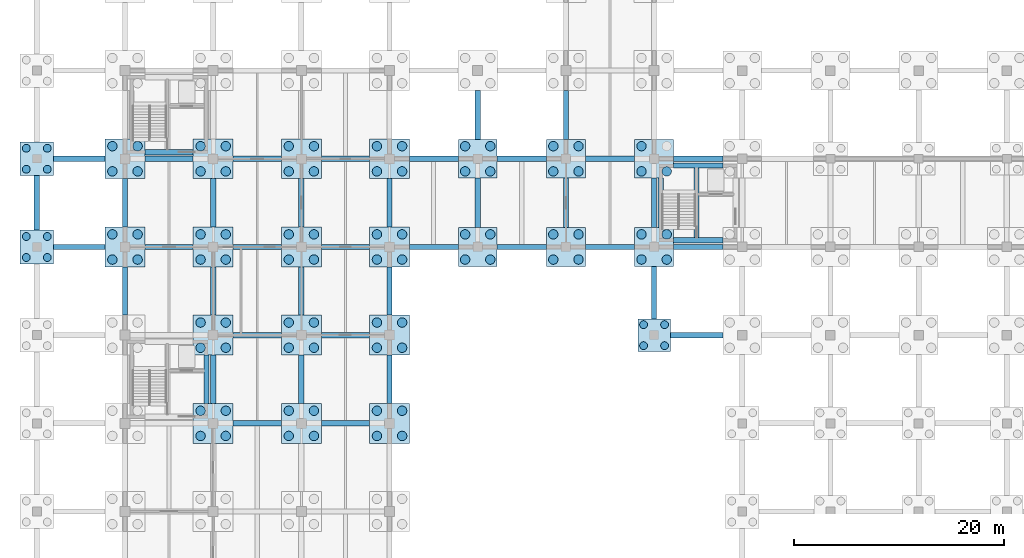
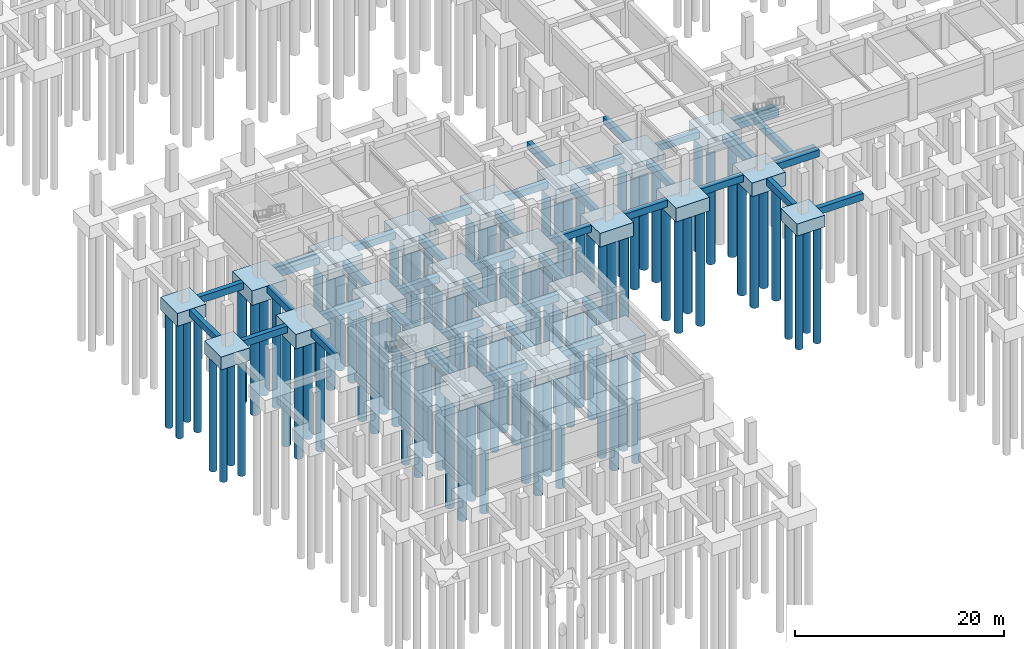
# One storey, part 2 of 29: 91 piles, 68 footings.
"""IFC4 building model written with IfcOpenShell, lengths in metres."""

from ifc_helpers import new_model, si_unit, direction, frame, origin, origin_2d, place, context, subcontext, project, spatial, rectangle, circle, extrude, material, material_profile, profile_set, type_object, element, save


model = new_model("IFC4")

# Units and contexts
model_context = context("Model", 3, precision=1e-05, world=origin(), true_north=direction((0.0, 1.0)))
body_context = subcontext(model_context, "Body", "Model", "MODEL_VIEW")
ifc_project = project(units=[si_unit("LENGTHUNIT", "METRE"), si_unit("AREAUNIT", "SQUARE_METRE"), si_unit("VOLUMEUNIT", "CUBIC_METRE"), si_unit("PLANEANGLEUNIT", "RADIAN"), si_unit("MASSUNIT", "GRAM", prefix="KILO")], contexts=[model_context])

# Site, building, storey
site_placement = place(None, origin())
site = spatial("IfcSite", under=ifc_project, at=site_placement, CompositionType="ELEMENT")
building_placement = place(site_placement, origin())
building = spatial("IfcBuilding", under=site, at=building_placement, Name="Porcellanite Civic Hall", CompositionType="ELEMENT")
storey_placement = place(building_placement, frame((0.0, 0.0, -4.5)))
storey = spatial("IfcBuildingStorey", under=building, at=storey_placement, Name="B1", CompositionType="ELEMENT", Elevation=-4.5)

# Footings
ifc_material_1 = material(Name="Concrete N40 (40 MPa)", Category="concrete")
ifc_material_profile_1 = material_profile(ifc_material_1, rectangle(XDim=0.5, YDim=0.800048828125, at=origin_2d()), Name="RC-500x800")
ifc_profile_set_1 = profile_set([ifc_material_profile_1], Name="Concrete N40 (40 MPa)")
footing_type_1 = type_object("IfcFootingType", Name="GB-01", PredefinedType="FOOTING_BEAM", material=ifc_profile_set_1)
footing_1_placement = place(storey_placement, frame((1.60009765625, 50.39990234375, -0.75), z_axis=(1.0, 0.0, 0.0), x_axis=(0.0, 1.0, 0.0)))
element("IfcFooting", 1, at=footing_1_placement, inside=storey, type_object=footing_type_1, Name="Ground tie beam B1 0-6 X", PredefinedType="FOOTING_BEAM", context=body_context, shape_type="SweptSolid", body=[
    extrude(rectangle(XDim=0.5, YDim=0.800048828125, at=origin_2d()), origin(), (0.0, 0.0, 1.0), 4.89990234375),
])
footing_2_placement = place(storey_placement, frame((0.0, 52.0, -0.75), z_axis=(0.0, 1.0, 0.0), x_axis=(-1.0, 0.0, 0.0)))
element("IfcFooting", 2, at=footing_2_placement, inside=storey, type_object=footing_type_1, Name="Ground tie beam B1 0-6 Y", PredefinedType="FOOTING_BEAM", context=body_context, shape_type="SweptSolid", body=[
    extrude(rectangle(XDim=0.5, YDim=0.800048828125, at=origin_2d()), origin(), (0.0, 0.0, 1.0), 5.199951171875),
])
footing_3_placement = place(storey_placement, frame((1.60009765625, 58.800048828125, -0.75), z_axis=(1.0, 0.0, 0.0), x_axis=(0.0, 1.0, 0.0)))
element("IfcFooting", 3, at=footing_3_placement, inside=storey, type_object=footing_type_1, Name="Ground tie beam B1 0-7 X", PredefinedType="FOOTING_BEAM", context=body_context, shape_type="SweptSolid", body=[
    extrude(rectangle(XDim=0.5, YDim=0.800048828125, at=origin_2d()), origin(), (0.0, 0.0, 1.0), 4.89990234375),
])
footing_4_placement = place(storey_placement, frame((8.39990234375, 43.89990234375, -0.75), z_axis=(0.0, 1.0, 0.0), x_axis=(-1.0, 0.0, 0.0)))
element("IfcFooting", 4, at=footing_4_placement, inside=storey, type_object=footing_type_1, Name="Ground tie beam B1 1-5 Y", PredefinedType="FOOTING_BEAM", context=body_context, shape_type="SweptSolid", body=[
    extrude(rectangle(XDim=0.5, YDim=0.800048828125, at=origin_2d()), origin(), (0.0, 0.0, 1.0), 4.60009765625),
])
for number, where, z_axis, x_axis, name in (
    (5, (10.300048828125, 50.39990234375, -0.75), (1.0, 0.0, 0.0), (0.0, 1.0, 0.0), "Ground tie beam B1 1-6 X"),
    (6, (8.39990234375, 52.300048828125, -0.75), (0.0, 1.0, 0.0), (-1.0, 0.0, 0.0), "Ground tie beam B1 1-6 Y"),
    (7, (10.300048828125, 58.800048828125, -0.75), (1.0, 0.0, 0.0), (0.0, 1.0, 0.0), "Ground tie beam B1 1-7 X"),
):
    element("IfcFooting", number, at=place(storey_placement, frame(where, z_axis=z_axis, x_axis=x_axis)), inside=storey, type_object=footing_type_1, Name=name, PredefinedType="FOOTING_BEAM", context=body_context, shape_type="SweptSolid", body=[
        extrude(rectangle(XDim=0.5, YDim=0.800048828125, at=origin_2d()), origin(), (0.0, 0.0, 1.0), 4.599853515625),
    ])
for number, where, z_axis, x_axis, name in (
    (8, (18.699951171875, 33.60009765625, -0.75), (1.0, 0.0, 0.0), (0.0, 1.0, 0.0), "Ground tie beam B1 2-4 X"),
    (9, (16.800048828125, 35.5, -0.75), (0.0, 1.0, 0.0), (-1.0, 0.0, 0.0), "Ground tie beam B1 2-4 Y"),
    (10, (18.699951171875, 42.0, -0.75), (1.0, 0.0, 0.0), (0.0, 1.0, 0.0), "Ground tie beam B1 2-5 X"),
    (11, (16.800048828125, 43.89990234375, -0.75), (0.0, 1.0, 0.0), (-1.0, 0.0, 0.0), "Ground tie beam B1 2-5 Y"),
    (12, (18.699951171875, 50.39990234375, -0.75), (1.0, 0.0, 0.0), (0.0, 1.0, 0.0), "Ground tie beam B1 2-6 X"),
):
    element("IfcFooting", number, at=place(storey_placement, frame(where, z_axis=z_axis, x_axis=x_axis)), inside=storey, type_object=footing_type_1, Name=name, PredefinedType="FOOTING_BEAM", context=body_context, shape_type="SweptSolid", body=[
        extrude(rectangle(XDim=0.5, YDim=0.800048828125, at=origin_2d()), origin(), (0.0, 0.0, 1.0), 4.60009765625),
    ])
footing_5_placement = place(storey_placement, frame((16.800048828125, 52.300048828125, -0.75), z_axis=(0.0, 1.0, 0.0), x_axis=(-1.0, 0.0, 0.0)))
element("IfcFooting", 13, at=footing_5_placement, inside=storey, type_object=footing_type_1, Name="Ground tie beam B1 2-6 Y", PredefinedType="FOOTING_BEAM", context=body_context, shape_type="SweptSolid", body=[
    extrude(rectangle(XDim=0.5, YDim=0.800048828125, at=origin_2d()), origin(), (0.0, 0.0, 1.0), 4.599853515625),
])
footing_6_placement = place(storey_placement, frame((18.699951171875, 58.800048828125, -0.75), z_axis=(1.0, 0.0, 0.0), x_axis=(0.0, 1.0, 0.0)))
element("IfcFooting", 14, at=footing_6_placement, inside=storey, type_object=footing_type_1, Name="Ground tie beam B1 2-7 X", PredefinedType="FOOTING_BEAM", context=body_context, shape_type="SweptSolid", body=[
    extrude(rectangle(XDim=0.5, YDim=0.800048828125, at=origin_2d()), origin(), (0.0, 0.0, 1.0), 4.60009765625),
])
footing_7_placement = place(storey_placement, frame((27.10009765625, 33.60009765625, -0.75), z_axis=(1.0, 0.0, 0.0), x_axis=(0.0, 1.0, 0.0)))
element("IfcFooting", 15, at=footing_7_placement, inside=storey, type_object=footing_type_1, Name="Ground tie beam B1 3-4 X", PredefinedType="FOOTING_BEAM", context=body_context, shape_type="SweptSolid", body=[
    extrude(rectangle(XDim=0.5, YDim=0.800048828125, at=origin_2d()), origin(), (0.0, 0.0, 1.0), 4.599853515625),
])
footing_8_placement = place(storey_placement, frame((25.199951171875, 35.5, -0.75), z_axis=(0.0, 1.0, 0.0), x_axis=(-1.0, 0.0, 0.0)))
element("IfcFooting", 16, at=footing_8_placement, inside=storey, type_object=footing_type_1, Name="Ground tie beam B1 3-4 Y", PredefinedType="FOOTING_BEAM", context=body_context, shape_type="SweptSolid", body=[
    extrude(rectangle(XDim=0.5, YDim=0.800048828125, at=origin_2d()), origin(), (0.0, 0.0, 1.0), 4.60009765625),
])
footing_9_placement = place(storey_placement, frame((27.10009765625, 42.0, -0.75), z_axis=(1.0, 0.0, 0.0), x_axis=(0.0, 1.0, 0.0)))
element("IfcFooting", 17, at=footing_9_placement, inside=storey, type_object=footing_type_1, Name="Ground tie beam B1 3-5 X", PredefinedType="FOOTING_BEAM", context=body_context, shape_type="SweptSolid", body=[
    extrude(rectangle(XDim=0.5, YDim=0.800048828125, at=origin_2d()), origin(), (0.0, 0.0, 1.0), 4.599853515625),
])
footing_10_placement = place(storey_placement, frame((25.199951171875, 43.89990234375, -0.75), z_axis=(0.0, 1.0, 0.0), x_axis=(-1.0, 0.0, 0.0)))
element("IfcFooting", 18, at=footing_10_placement, inside=storey, type_object=footing_type_1, Name="Ground tie beam B1 3-5 Y", PredefinedType="FOOTING_BEAM", context=body_context, shape_type="SweptSolid", body=[
    extrude(rectangle(XDim=0.5, YDim=0.800048828125, at=origin_2d()), origin(), (0.0, 0.0, 1.0), 4.60009765625),
])
for number, where, z_axis, x_axis, name in (
    (19, (27.10009765625, 50.39990234375, -0.75), (1.0, 0.0, 0.0), (0.0, 1.0, 0.0), "Ground tie beam B1 3-6 X"),
    (20, (25.199951171875, 52.300048828125, -0.75), (0.0, 1.0, 0.0), (-1.0, 0.0, 0.0), "Ground tie beam B1 3-6 Y"),
    (21, (27.10009765625, 58.800048828125, -0.75), (1.0, 0.0, 0.0), (0.0, 1.0, 0.0), "Ground tie beam B1 3-7 X"),
):
    element("IfcFooting", number, at=place(storey_placement, frame(where, z_axis=z_axis, x_axis=x_axis)), inside=storey, type_object=footing_type_1, Name=name, PredefinedType="FOOTING_BEAM", context=body_context, shape_type="SweptSolid", body=[
        extrude(rectangle(XDim=0.5, YDim=0.800048828125, at=origin_2d()), origin(), (0.0, 0.0, 1.0), 4.599853515625),
    ])
for number, where, z_axis, x_axis, name in (
    (22, (33.60009765625, 35.5, -0.75), (0.0, 1.0, 0.0), (-1.0, 0.0, 0.0), "Ground tie beam B1 4-4 Y"),
    (23, (33.60009765625, 43.89990234375, -0.75), (0.0, 1.0, 0.0), (-1.0, 0.0, 0.0), "Ground tie beam B1 4-5 Y"),
):
    element("IfcFooting", number, at=place(storey_placement, frame(where, z_axis=z_axis, x_axis=x_axis)), inside=storey, type_object=footing_type_1, Name=name, PredefinedType="FOOTING_BEAM", context=body_context, shape_type="SweptSolid", body=[
        extrude(rectangle(XDim=0.5, YDim=0.800048828125, at=origin_2d()), origin(), (0.0, 0.0, 1.0), 4.60009765625),
    ])
footing_11_placement = place(storey_placement, frame((35.5, 50.39990234375, -0.75), z_axis=(1.0, 0.0, 0.0), x_axis=(0.0, 1.0, 0.0)))
element("IfcFooting", 24, at=footing_11_placement, inside=storey, type_object=footing_type_1, Name="Ground tie beam B1 4-6 X", PredefinedType="FOOTING_BEAM", context=body_context, shape_type="SweptSolid", body=[
    extrude(rectangle(XDim=0.5, YDim=0.800048828125, at=origin_2d()), origin(), (0.0, 0.0, 1.0), 4.64990234375),
])
footing_12_placement = place(storey_placement, frame((33.60009765625, 52.300048828125, -0.75), z_axis=(0.0, 1.0, 0.0), x_axis=(-1.0, 0.0, 0.0)))
element("IfcFooting", 25, at=footing_12_placement, inside=storey, type_object=footing_type_1, Name="Ground tie beam B1 4-6 Y", PredefinedType="FOOTING_BEAM", context=body_context, shape_type="SweptSolid", body=[
    extrude(rectangle(XDim=0.5, YDim=0.800048828125, at=origin_2d()), origin(), (0.0, 0.0, 1.0), 4.599853515625),
])
footing_13_placement = place(storey_placement, frame((35.5, 58.800048828125, -0.75), z_axis=(1.0, 0.0, 0.0), x_axis=(0.0, 1.0, 0.0)))
element("IfcFooting", 26, at=footing_13_placement, inside=storey, type_object=footing_type_1, Name="Ground tie beam B1 4-7 X", PredefinedType="FOOTING_BEAM", context=body_context, shape_type="SweptSolid", body=[
    extrude(rectangle(XDim=0.5, YDim=0.800048828125, at=origin_2d()), origin(), (0.0, 0.0, 1.0), 4.64990234375),
])
for number, where, z_axis, x_axis, name in (
    (27, (43.85009765625, 50.39990234375, -0.75), (1.0, 0.0, 0.0), (0.0, 1.0, 0.0), "Ground tie beam B1 5-6 X"),
    (28, (42.0, 52.25, -0.75), (0.0, 1.0, 0.0), (-1.0, 0.0, 0.0), "Ground tie beam B1 5-6 Y"),
    (29, (43.85009765625, 58.800048828125, -0.75), (1.0, 0.0, 0.0), (0.0, 1.0, 0.0), "Ground tie beam B1 5-7 X"),
):
    element("IfcFooting", number, at=place(storey_placement, frame(where, z_axis=z_axis, x_axis=x_axis)), inside=storey, type_object=footing_type_1, Name=name, PredefinedType="FOOTING_BEAM", context=body_context, shape_type="SweptSolid", body=[
        extrude(rectangle(XDim=0.5, YDim=0.800048828125, at=origin_2d()), origin(), (0.0, 0.0, 1.0), 4.699951171875),
    ])
footing_14_placement = place(storey_placement, frame((42.0, 60.64990234375, -0.75), z_axis=(0.0, 1.0, 0.0), x_axis=(-1.0, 0.0, 0.0)))
element("IfcFooting", 30, at=footing_14_placement, inside=storey, type_object=footing_type_1, Name="Ground tie beam B1 5-7 Y", PredefinedType="FOOTING_BEAM", context=body_context, shape_type="SweptSolid", body=[
    extrude(rectangle(XDim=0.5, YDim=0.800048828125, at=origin_2d()), origin(), (0.0, 0.0, 1.0), 4.650146484375),
])
for number, where, z_axis, x_axis, name in (
    (31, (52.25, 50.39990234375, -0.75), (1.0, 0.0, 0.0), (0.0, 1.0, 0.0), "Ground tie beam B1 6-6 X"),
    (32, (50.39990234375, 52.25, -0.75), (0.0, 1.0, 0.0), (-1.0, 0.0, 0.0), "Ground tie beam B1 6-6 Y"),
    (33, (52.25, 58.800048828125, -0.75), (1.0, 0.0, 0.0), (0.0, 1.0, 0.0), "Ground tie beam B1 6-7 X"),
):
    element("IfcFooting", number, at=place(storey_placement, frame(where, z_axis=z_axis, x_axis=x_axis)), inside=storey, type_object=footing_type_1, Name=name, PredefinedType="FOOTING_BEAM", context=body_context, shape_type="SweptSolid", body=[
        extrude(rectangle(XDim=0.5, YDim=0.800048828125, at=origin_2d()), origin(), (0.0, 0.0, 1.0), 4.699951171875),
    ])
footing_15_placement = place(storey_placement, frame((50.39990234375, 60.64990234375, -0.75), z_axis=(0.0, 1.0, 0.0), x_axis=(-1.0, 0.0, 0.0)))
element("IfcFooting", 34, at=footing_15_placement, inside=storey, type_object=footing_type_1, Name="Ground tie beam B1 6-7 Y", PredefinedType="FOOTING_BEAM", context=body_context, shape_type="SweptSolid", body=[
    extrude(rectangle(XDim=0.5, YDim=0.800048828125, at=origin_2d()), origin(), (0.0, 0.0, 1.0), 4.650146484375),
])
for number, where, z_axis, x_axis, name in (
    (35, (60.35009765625, 42.0, -0.75), (1.0, 0.0, 0.0), (0.0, 1.0, 0.0), "Ground tie beam B1 7-5 X"),
    (36, (58.800048828125, 43.550048828125, -0.75), (0.0, 1.0, 0.0), (-1.0, 0.0, 0.0), "Ground tie beam B1 7-5 Y"),
):
    element("IfcFooting", number, at=place(storey_placement, frame(where, z_axis=z_axis, x_axis=x_axis)), inside=storey, type_object=footing_type_1, Name=name, PredefinedType="FOOTING_BEAM", context=body_context, shape_type="SweptSolid", body=[
        extrude(rectangle(XDim=0.5, YDim=0.800048828125, at=origin_2d()), origin(), (0.0, 0.0, 1.0), 5.0),
    ])
footing_16_placement = place(storey_placement, frame((60.64990234375, 50.39990234375, -0.75), z_axis=(1.0, 0.0, 0.0), x_axis=(0.0, 1.0, 0.0)))
element("IfcFooting", 37, at=footing_16_placement, inside=storey, type_object=footing_type_1, Name="Ground tie beam B1 7-6 X", PredefinedType="FOOTING_BEAM", context=body_context, shape_type="SweptSolid", body=[
    extrude(rectangle(XDim=0.5, YDim=0.800048828125, at=origin_2d()), origin(), (0.0, 0.0, 1.0), 4.7001953125),
])
footing_17_placement = place(storey_placement, frame((58.800048828125, 52.25, -0.75), z_axis=(0.0, 1.0, 0.0), x_axis=(-1.0, 0.0, 0.0)))
element("IfcFooting", 38, at=footing_17_placement, inside=storey, type_object=footing_type_1, Name="Ground tie beam B1 7-6 Y", PredefinedType="FOOTING_BEAM", context=body_context, shape_type="SweptSolid", body=[
    extrude(rectangle(XDim=0.5, YDim=0.800048828125, at=origin_2d()), origin(), (0.0, 0.0, 1.0), 4.699951171875),
])
footing_18_placement = place(storey_placement, frame((60.64990234375, 58.800048828125, -0.75), z_axis=(1.0, 0.0, 0.0), x_axis=(0.0, 1.0, 0.0)))
element("IfcFooting", 39, at=footing_18_placement, inside=storey, type_object=footing_type_1, Name="Ground tie beam B1 7-7 X", PredefinedType="FOOTING_BEAM", context=body_context, shape_type="SweptSolid", body=[
    extrude(rectangle(XDim=0.5, YDim=0.800048828125, at=origin_2d()), origin(), (0.0, 0.0, 1.0), 4.7001953125),
])
footing_19_placement = place(storey_placement, frame((16.169921875, 35.5, -0.75), z_axis=(0.0, 1.0, 0.0), x_axis=(-1.0, 0.0, 0.0)))
element("IfcFooting", 40, at=footing_19_placement, inside=storey, type_object=footing_type_1, Name="Core strip footing C1 E", PredefinedType="FOOTING_BEAM", context=body_context, shape_type="SweptSolid", body=[
    extrude(rectangle(XDim=0.5, YDim=0.800048828125, at=origin_2d()), origin(), (0.0, 0.0, 1.0), 4.60009765625),
])
footing_20_placement = place(storey_placement, frame((10.300048828125, 59.429931640625, -0.75), z_axis=(1.0, 0.0, 0.0), x_axis=(0.0, 1.0, 0.0)))
element("IfcFooting", 41, at=footing_20_placement, inside=storey, type_object=footing_type_1, Name="Core strip footing C2 S", PredefinedType="FOOTING_BEAM", context=body_context, shape_type="SweptSolid", body=[
    extrude(rectangle(XDim=0.5, YDim=0.800048828125, at=origin_2d()), origin(), (0.0, 0.0, 1.0), 4.599853515625),
])
for number, where, z_axis, x_axis, name in (
    (42, (60.64990234375, 51.030029296875, -0.75), (1.0, 0.0, 0.0), (0.0, 1.0, 0.0), "Core strip footing C5 S"),
    (43, (60.64990234375, 58.169921875, -0.75), (1.0, 0.0, 0.0), (0.0, 1.0, 0.0), "Core strip footing C5 N"),
):
    element("IfcFooting", number, at=place(storey_placement, frame(where, z_axis=z_axis, x_axis=x_axis)), inside=storey, type_object=footing_type_1, Name=name, PredefinedType="FOOTING_BEAM", context=body_context, shape_type="SweptSolid", body=[
        extrude(rectangle(XDim=0.5, YDim=0.800048828125, at=origin_2d()), origin(), (0.0, 0.0, 1.0), 4.7001953125),
    ])
footing_21_placement = place(storey_placement, frame((59.429931640625, 52.25, -0.75), z_axis=(0.0, 1.0, 0.0), x_axis=(-1.0, 0.0, 0.0)))
element("IfcFooting", 44, at=footing_21_placement, inside=storey, type_object=footing_type_1, Name="Core strip footing C5 W", PredefinedType="FOOTING_BEAM", context=body_context, shape_type="SweptSolid", body=[
    extrude(rectangle(XDim=0.5, YDim=0.800048828125, at=origin_2d()), origin(), (0.0, 0.0, 1.0), 4.699951171875),
])
footing_22_placement = place(storey_placement, frame((62.840087890625, 51.280029296875, -0.75), z_axis=(0.0, 1.0, 0.0), x_axis=(-1.0, 0.0, 0.0)))
element("IfcFooting", 45, at=footing_22_placement, inside=storey, type_object=footing_type_1, Name="Core strip footing C5 DIV", PredefinedType="FOOTING_BEAM", context=body_context, shape_type="SweptSolid", body=[
    extrude(rectangle(XDim=0.5, YDim=0.800048828125, at=origin_2d()), origin(), (0.0, 0.0, 1.0), 6.639892578125),
])
ifc_material_2 = material(Name="Concrete N40 (40 MPa)", Category="concrete")
footing_type_2 = type_object("IfcFootingType", Name="PC-01", PredefinedType="PILE_CAP", material=ifc_material_2)
footing_23_placement = place(storey_placement, frame((58.800048828125, 42.0, -1.75), z_axis=(0.0, 0.0, 1.0), x_axis=(1.0, 0.0, 0.0)))
element("IfcFooting", 46, at=footing_23_placement, inside=storey, type_object=footing_type_2, Name="Pile cap 7-5", PredefinedType="PILE_CAP", context=body_context, shape_type="SweptSolid", body=[
    extrude(rectangle(XDim=3.10009765625, YDim=3.10009765625, at=origin_2d()), origin(), (0.0, 0.0, 1.0), 1.39990234375),
])
ifc_material_3 = material(Name="Concrete N40 (40 MPa)", Category="concrete")
footing_type_3 = type_object("IfcFootingType", Name="PC-02", PredefinedType="PILE_CAP", material=ifc_material_3)
for number, where, z_axis, x_axis, name in (
    (47, (0.0, 50.39990234375, -1.85009765625), (0.0, 0.0, 1.0), (1.0, 0.0, 0.0), "Pile cap 0-6"),
    (48, (0.0, 58.800048828125, -1.85009765625), (0.0, 0.0, 1.0), (1.0, 0.0, 0.0), "Pile cap 0-7"),
):
    element("IfcFooting", number, at=place(storey_placement, frame(where, z_axis=z_axis, x_axis=x_axis)), inside=storey, type_object=footing_type_3, Name=name, PredefinedType="PILE_CAP", context=body_context, shape_type="SweptSolid", body=[
        extrude(rectangle(XDim=3.199951171875, YDim=3.199951171875, at=origin_2d()), origin(), (0.0, 0.0, 1.0), 1.5),
    ])
ifc_material_4 = material(Name="Concrete N40 (40 MPa)", Category="concrete")
footing_type_4 = type_object("IfcFootingType", Name="PC-03", PredefinedType="PILE_CAP", material=ifc_material_4)
for number, where, z_axis, x_axis, name in (
    (49, (42.0, 50.39990234375, -1.949951171875), (0.0, 0.0, 1.0), (1.0, 0.0, 0.0), "Pile cap 5-6"),
    (50, (42.0, 58.800048828125, -1.949951171875), (0.0, 0.0, 1.0), (1.0, 0.0, 0.0), "Pile cap 5-7"),
    (51, (50.39990234375, 50.39990234375, -1.949951171875), (0.0, 0.0, 1.0), (1.0, 0.0, 0.0), "Pile cap 6-6"),
    (52, (50.39990234375, 58.800048828125, -1.949951171875), (0.0, 0.0, 1.0), (1.0, 0.0, 0.0), "Pile cap 6-7"),
    (53, (58.800048828125, 50.39990234375, -1.949951171875), (0.0, 0.0, 1.0), (1.0, 0.0, 0.0), "Pile cap 7-6"),
    (54, (58.800048828125, 58.800048828125, -1.949951171875), (0.0, 0.0, 1.0), (1.0, 0.0, 0.0), "Pile cap 7-7"),
):
    element("IfcFooting", number, at=place(storey_placement, frame(where, z_axis=z_axis, x_axis=x_axis)), inside=storey, type_object=footing_type_4, Name=name, PredefinedType="PILE_CAP", context=body_context, shape_type="SweptSolid", body=[
        extrude(rectangle(XDim=3.699951171875, YDim=3.699951171875, at=origin_2d()), origin(), (0.0, 0.0, 1.0), 1.60009765625),
    ])
ifc_material_5 = material(Name="Concrete N40 (40 MPa)", Category="concrete")
footing_type_5 = type_object("IfcFootingType", Name="PC-04", PredefinedType="PILE_CAP", material=ifc_material_5)
for number, where, z_axis, x_axis, name in (
    (55, (8.39990234375, 50.39990234375, -2.0498046875), (0.0, 0.0, 1.0), (1.0, 0.0, 0.0), "Pile cap 1-6"),
    (56, (8.39990234375, 58.800048828125, -2.0498046875), (0.0, 0.0, 1.0), (1.0, 0.0, 0.0), "Pile cap 1-7"),
    (57, (16.800048828125, 33.60009765625, -2.0498046875), (0.0, 0.0, 1.0), (1.0, 0.0, 0.0), "Pile cap 2-4"),
    (58, (16.800048828125, 42.0, -2.0498046875), (0.0, 0.0, 1.0), (1.0, 0.0, 0.0), "Pile cap 2-5"),
    (59, (16.800048828125, 50.39990234375, -2.0498046875), (0.0, 0.0, 1.0), (1.0, 0.0, 0.0), "Pile cap 2-6"),
    (60, (16.800048828125, 58.800048828125, -2.0498046875), (0.0, 0.0, 1.0), (1.0, 0.0, 0.0), "Pile cap 2-7"),
    (61, (25.199951171875, 33.60009765625, -2.0498046875), (0.0, 0.0, 1.0), (1.0, 0.0, 0.0), "Pile cap 3-4"),
    (62, (25.199951171875, 42.0, -2.0498046875), (0.0, 0.0, 1.0), (1.0, 0.0, 0.0), "Pile cap 3-5"),
    (63, (25.199951171875, 50.39990234375, -2.0498046875), (0.0, 0.0, 1.0), (1.0, 0.0, 0.0), "Pile cap 3-6"),
    (64, (25.199951171875, 58.800048828125, -2.0498046875), (0.0, 0.0, 1.0), (1.0, 0.0, 0.0), "Pile cap 3-7"),
    (65, (33.60009765625, 33.60009765625, -2.0498046875), (0.0, 0.0, 1.0), (1.0, 0.0, 0.0), "Pile cap 4-4"),
    (66, (33.60009765625, 42.0, -2.0498046875), (0.0, 0.0, 1.0), (1.0, 0.0, 0.0), "Pile cap 4-5"),
    (67, (33.60009765625, 50.39990234375, -2.0498046875), (0.0, 0.0, 1.0), (1.0, 0.0, 0.0), "Pile cap 4-6"),
    (68, (33.60009765625, 58.800048828125, -2.0498046875), (0.0, 0.0, 1.0), (1.0, 0.0, 0.0), "Pile cap 4-7"),
):
    element("IfcFooting", number, at=place(storey_placement, frame(where, z_axis=z_axis, x_axis=x_axis)), inside=storey, type_object=footing_type_5, Name=name, PredefinedType="PILE_CAP", context=body_context, shape_type="SweptSolid", body=[
        extrude(rectangle(XDim=3.800048828125, YDim=3.800048828125, at=origin_2d()), origin(), (0.0, 0.0, 1.0), 1.699951171875),
    ])

# Piles
ifc_material_6 = material(Name="Concrete N40 (40 MPa)", Category="concrete")
ifc_material_profile_2 = material_profile(ifc_material_6, circle(Radius=0.375, at=origin_2d()), Name="PILE-D750")
ifc_profile_set_2 = profile_set([ifc_material_profile_2], Name="Concrete N40 (40 MPa)")
pile_type_1 = type_object("IfcPileType", Name="PL-750", PredefinedType="BORED", material=ifc_profile_set_2)
for number, where, z_axis, x_axis, name in (
    (69, (-1.0, 49.39990234375, -1.85009765625), (0.0, 0.0, -1.0), (1.0, 0.0, 0.0), "Bored pile 0-6-1"),
    (70, (-1.0, 51.39990234375, -1.85009765625), (0.0, 0.0, -1.0), (1.0, 0.0, 0.0), "Bored pile 0-6-2"),
    (71, (1.0, 49.39990234375, -1.85009765625), (0.0, 0.0, -1.0), (1.0, 0.0, 0.0), "Bored pile 0-6-3"),
    (72, (1.0, 51.39990234375, -1.85009765625), (0.0, 0.0, -1.0), (1.0, 0.0, 0.0), "Bored pile 0-6-4"),
    (73, (-1.0, 57.800048828125, -1.85009765625), (0.0, 0.0, -1.0), (1.0, 0.0, 0.0), "Bored pile 0-7-1"),
    (74, (-1.0, 59.800048828125, -1.85009765625), (0.0, 0.0, -1.0), (1.0, 0.0, 0.0), "Bored pile 0-7-2"),
    (75, (1.0, 57.800048828125, -1.85009765625), (0.0, 0.0, -1.0), (1.0, 0.0, 0.0), "Bored pile 0-7-3"),
    (76, (1.0, 59.800048828125, -1.85009765625), (0.0, 0.0, -1.0), (1.0, 0.0, 0.0), "Bored pile 0-7-4"),
):
    element("IfcPile", number, at=place(storey_placement, frame(where, z_axis=z_axis, x_axis=x_axis)), inside=storey, type_object=pile_type_1, Name=name, PredefinedType="BORED", context=body_context, shape_type="SweptSolid", body=[
        extrude(circle(Radius=0.375, at=origin_2d()), origin(), (0.0, 0.0, 1.0), 13.449951171875),
    ])
for number, where, z_axis, x_axis, name in (
    (77, (57.800048828125, 41.0, -1.75), (0.0, 0.0, -1.0), (1.0, 0.0, 0.0), "Bored pile 7-5-1"),
    (78, (57.800048828125, 43.0, -1.75), (0.0, 0.0, -1.0), (1.0, 0.0, 0.0), "Bored pile 7-5-2"),
    (79, (59.800048828125, 41.0, -1.75), (0.0, 0.0, -1.0), (1.0, 0.0, 0.0), "Bored pile 7-5-3"),
    (80, (59.800048828125, 43.0, -1.75), (0.0, 0.0, -1.0), (1.0, 0.0, 0.0), "Bored pile 7-5-4"),
):
    element("IfcPile", number, at=place(storey_placement, frame(where, z_axis=z_axis, x_axis=x_axis)), inside=storey, type_object=pile_type_1, Name=name, PredefinedType="BORED", context=body_context, shape_type="SweptSolid", body=[
        extrude(circle(Radius=0.375, at=origin_2d()), origin(), (0.0, 0.0, 1.0), 13.550048828125),
    ])
ifc_material_7 = material(Name="Concrete N40 (40 MPa)", Category="concrete")
ifc_material_profile_3 = material_profile(ifc_material_7, circle(Radius=0.449951171875, at=origin_2d()), Name="PILE-D900")
ifc_profile_set_3 = profile_set([ifc_material_profile_3], Name="Concrete N40 (40 MPa)")
pile_type_2 = type_object("IfcPileType", Name="PL-900", PredefinedType="BORED", material=ifc_profile_set_3)
for number, where, z_axis, x_axis, name in (
    (81, (7.199951171875, 49.199951171875, -2.050048828125), (0.0, 0.0, -1.0), (1.0, 0.0, 0.0), "Bored pile 1-6-1"),
    (82, (7.199951171875, 51.60009765625, -2.050048828125), (0.0, 0.0, -1.0), (1.0, 0.0, 0.0), "Bored pile 1-6-2"),
    (83, (9.60009765625, 49.199951171875, -2.050048828125), (0.0, 0.0, -1.0), (1.0, 0.0, 0.0), "Bored pile 1-6-3"),
    (84, (9.60009765625, 51.60009765625, -2.050048828125), (0.0, 0.0, -1.0), (1.0, 0.0, 0.0), "Bored pile 1-6-4"),
    (85, (7.199951171875, 57.60009765625, -2.050048828125), (0.0, 0.0, -1.0), (1.0, 0.0, 0.0), "Bored pile 1-7-1"),
    (86, (7.199951171875, 60.0, -2.050048828125), (0.0, 0.0, -1.0), (1.0, 0.0, 0.0), "Bored pile 1-7-2"),
    (87, (9.60009765625, 57.60009765625, -2.050048828125), (0.0, 0.0, -1.0), (1.0, 0.0, 0.0), "Bored pile 1-7-3"),
    (88, (9.60009765625, 60.0, -2.050048828125), (0.0, 0.0, -1.0), (1.0, 0.0, 0.0), "Bored pile 1-7-4"),
    (89, (15.60009765625, 32.39990234375, -2.050048828125), (0.0, 0.0, -1.0), (1.0, 0.0, 0.0), "Bored pile 2-4-1"),
    (90, (15.60009765625, 34.800048828125, -2.050048828125), (0.0, 0.0, -1.0), (1.0, 0.0, 0.0), "Bored pile 2-4-2"),
    (91, (18.0, 32.39990234375, -2.050048828125), (0.0, 0.0, -1.0), (1.0, 0.0, 0.0), "Bored pile 2-4-3"),
    (92, (18.0, 34.800048828125, -2.050048828125), (0.0, 0.0, -1.0), (1.0, 0.0, 0.0), "Bored pile 2-4-4"),
    (93, (15.60009765625, 40.800048828125, -2.050048828125), (0.0, 0.0, -1.0), (1.0, 0.0, 0.0), "Bored pile 2-5-1"),
    (94, (15.60009765625, 43.199951171875, -2.050048828125), (0.0, 0.0, -1.0), (1.0, 0.0, 0.0), "Bored pile 2-5-2"),
    (95, (18.0, 40.800048828125, -2.050048828125), (0.0, 0.0, -1.0), (1.0, 0.0, 0.0), "Bored pile 2-5-3"),
    (96, (18.0, 43.199951171875, -2.050048828125), (0.0, 0.0, -1.0), (1.0, 0.0, 0.0), "Bored pile 2-5-4"),
    (97, (15.60009765625, 49.199951171875, -2.050048828125), (0.0, 0.0, -1.0), (1.0, 0.0, 0.0), "Bored pile 2-6-1"),
    (98, (15.60009765625, 51.60009765625, -2.050048828125), (0.0, 0.0, -1.0), (1.0, 0.0, 0.0), "Bored pile 2-6-2"),
    (99, (18.0, 49.199951171875, -2.050048828125), (0.0, 0.0, -1.0), (1.0, 0.0, 0.0), "Bored pile 2-6-3"),
    (100, (18.0, 51.60009765625, -2.050048828125), (0.0, 0.0, -1.0), (1.0, 0.0, 0.0), "Bored pile 2-6-4"),
    (101, (15.60009765625, 57.60009765625, -2.050048828125), (0.0, 0.0, -1.0), (1.0, 0.0, 0.0), "Bored pile 2-7-1"),
    (102, (15.60009765625, 60.0, -2.050048828125), (0.0, 0.0, -1.0), (1.0, 0.0, 0.0), "Bored pile 2-7-2"),
    (103, (18.0, 57.60009765625, -2.050048828125), (0.0, 0.0, -1.0), (1.0, 0.0, 0.0), "Bored pile 2-7-3"),
    (104, (18.0, 60.0, -2.050048828125), (0.0, 0.0, -1.0), (1.0, 0.0, 0.0), "Bored pile 2-7-4"),
    (105, (24.0, 32.39990234375, -2.050048828125), (0.0, 0.0, -1.0), (1.0, 0.0, 0.0), "Bored pile 3-4-1"),
    (106, (24.0, 34.800048828125, -2.050048828125), (0.0, 0.0, -1.0), (1.0, 0.0, 0.0), "Bored pile 3-4-2"),
    (107, (26.39990234375, 32.39990234375, -2.050048828125), (0.0, 0.0, -1.0), (1.0, 0.0, 0.0), "Bored pile 3-4-3"),
    (108, (26.39990234375, 34.800048828125, -2.050048828125), (0.0, 0.0, -1.0), (1.0, 0.0, 0.0), "Bored pile 3-4-4"),
    (109, (24.0, 40.800048828125, -2.050048828125), (0.0, 0.0, -1.0), (1.0, 0.0, 0.0), "Bored pile 3-5-1"),
    (110, (24.0, 43.199951171875, -2.050048828125), (0.0, 0.0, -1.0), (1.0, 0.0, 0.0), "Bored pile 3-5-2"),
    (111, (26.39990234375, 40.800048828125, -2.050048828125), (0.0, 0.0, -1.0), (1.0, 0.0, 0.0), "Bored pile 3-5-3"),
    (112, (26.39990234375, 43.199951171875, -2.050048828125), (0.0, 0.0, -1.0), (1.0, 0.0, 0.0), "Bored pile 3-5-4"),
    (113, (24.0, 49.199951171875, -2.050048828125), (0.0, 0.0, -1.0), (1.0, 0.0, 0.0), "Bored pile 3-6-1"),
    (114, (24.0, 51.60009765625, -2.050048828125), (0.0, 0.0, -1.0), (1.0, 0.0, 0.0), "Bored pile 3-6-2"),
    (115, (26.39990234375, 49.199951171875, -2.050048828125), (0.0, 0.0, -1.0), (1.0, 0.0, 0.0), "Bored pile 3-6-3"),
    (116, (26.39990234375, 51.60009765625, -2.050048828125), (0.0, 0.0, -1.0), (1.0, 0.0, 0.0), "Bored pile 3-6-4"),
    (117, (24.0, 57.60009765625, -2.050048828125), (0.0, 0.0, -1.0), (1.0, 0.0, 0.0), "Bored pile 3-7-1"),
    (118, (24.0, 60.0, -2.050048828125), (0.0, 0.0, -1.0), (1.0, 0.0, 0.0), "Bored pile 3-7-2"),
    (119, (26.39990234375, 57.60009765625, -2.050048828125), (0.0, 0.0, -1.0), (1.0, 0.0, 0.0), "Bored pile 3-7-3"),
    (120, (26.39990234375, 60.0, -2.050048828125), (0.0, 0.0, -1.0), (1.0, 0.0, 0.0), "Bored pile 3-7-4"),
    (121, (32.39990234375, 32.39990234375, -2.050048828125), (0.0, 0.0, -1.0), (1.0, 0.0, 0.0), "Bored pile 4-4-1"),
    (122, (32.39990234375, 34.800048828125, -2.050048828125), (0.0, 0.0, -1.0), (1.0, 0.0, 0.0), "Bored pile 4-4-2"),
    (123, (34.800048828125, 32.39990234375, -2.050048828125), (0.0, 0.0, -1.0), (1.0, 0.0, 0.0), "Bored pile 4-4-3"),
    (124, (34.800048828125, 34.800048828125, -2.050048828125), (0.0, 0.0, -1.0), (1.0, 0.0, 0.0), "Bored pile 4-4-4"),
    (125, (32.39990234375, 40.800048828125, -2.050048828125), (0.0, 0.0, -1.0), (1.0, 0.0, 0.0), "Bored pile 4-5-1"),
    (126, (32.39990234375, 43.199951171875, -2.050048828125), (0.0, 0.0, -1.0), (1.0, 0.0, 0.0), "Bored pile 4-5-2"),
    (127, (34.800048828125, 40.800048828125, -2.050048828125), (0.0, 0.0, -1.0), (1.0, 0.0, 0.0), "Bored pile 4-5-3"),
    (128, (34.800048828125, 43.199951171875, -2.050048828125), (0.0, 0.0, -1.0), (1.0, 0.0, 0.0), "Bored pile 4-5-4"),
    (129, (32.39990234375, 49.199951171875, -2.050048828125), (0.0, 0.0, -1.0), (1.0, 0.0, 0.0), "Bored pile 4-6-1"),
    (130, (32.39990234375, 51.60009765625, -2.050048828125), (0.0, 0.0, -1.0), (1.0, 0.0, 0.0), "Bored pile 4-6-2"),
    (131, (34.800048828125, 49.199951171875, -2.050048828125), (0.0, 0.0, -1.0), (1.0, 0.0, 0.0), "Bored pile 4-6-3"),
    (132, (34.800048828125, 51.60009765625, -2.050048828125), (0.0, 0.0, -1.0), (1.0, 0.0, 0.0), "Bored pile 4-6-4"),
    (133, (32.39990234375, 57.60009765625, -2.050048828125), (0.0, 0.0, -1.0), (1.0, 0.0, 0.0), "Bored pile 4-7-1"),
    (134, (32.39990234375, 60.0, -2.050048828125), (0.0, 0.0, -1.0), (1.0, 0.0, 0.0), "Bored pile 4-7-2"),
    (135, (34.800048828125, 57.60009765625, -2.050048828125), (0.0, 0.0, -1.0), (1.0, 0.0, 0.0), "Bored pile 4-7-3"),
    (136, (34.800048828125, 60.0, -2.050048828125), (0.0, 0.0, -1.0), (1.0, 0.0, 0.0), "Bored pile 4-7-4"),
):
    element("IfcPile", number, at=place(storey_placement, frame(where, z_axis=z_axis, x_axis=x_axis)), inside=storey, type_object=pile_type_2, Name=name, PredefinedType="BORED", context=body_context, shape_type="SweptSolid", body=[
        extrude(circle(Radius=0.449951171875, at=origin_2d()), origin(), (0.0, 0.0, 1.0), 13.25),
    ])
for number, where, z_axis, x_axis, name in (
    (137, (40.800048828125, 49.199951171875, -1.949951171875), (0.0, 0.0, -1.0), (1.0, 0.0, 0.0), "Bored pile 5-6-1"),
    (138, (40.800048828125, 51.60009765625, -1.949951171875), (0.0, 0.0, -1.0), (1.0, 0.0, 0.0), "Bored pile 5-6-2"),
    (139, (43.199951171875, 49.199951171875, -1.949951171875), (0.0, 0.0, -1.0), (1.0, 0.0, 0.0), "Bored pile 5-6-3"),
    (140, (43.199951171875, 51.60009765625, -1.949951171875), (0.0, 0.0, -1.0), (1.0, 0.0, 0.0), "Bored pile 5-6-4"),
    (141, (40.800048828125, 57.60009765625, -1.949951171875), (0.0, 0.0, -1.0), (1.0, 0.0, 0.0), "Bored pile 5-7-1"),
    (142, (40.800048828125, 60.0, -1.949951171875), (0.0, 0.0, -1.0), (1.0, 0.0, 0.0), "Bored pile 5-7-2"),
    (143, (43.199951171875, 57.60009765625, -1.949951171875), (0.0, 0.0, -1.0), (1.0, 0.0, 0.0), "Bored pile 5-7-3"),
    (144, (43.199951171875, 60.0, -1.949951171875), (0.0, 0.0, -1.0), (1.0, 0.0, 0.0), "Bored pile 5-7-4"),
    (145, (49.199951171875, 49.199951171875, -1.949951171875), (0.0, 0.0, -1.0), (1.0, 0.0, 0.0), "Bored pile 6-6-1"),
    (146, (49.199951171875, 51.60009765625, -1.949951171875), (0.0, 0.0, -1.0), (1.0, 0.0, 0.0), "Bored pile 6-6-2"),
    (147, (51.60009765625, 49.199951171875, -1.949951171875), (0.0, 0.0, -1.0), (1.0, 0.0, 0.0), "Bored pile 6-6-3"),
    (148, (51.60009765625, 51.60009765625, -1.949951171875), (0.0, 0.0, -1.0), (1.0, 0.0, 0.0), "Bored pile 6-6-4"),
    (149, (49.199951171875, 57.60009765625, -1.949951171875), (0.0, 0.0, -1.0), (1.0, 0.0, 0.0), "Bored pile 6-7-1"),
    (150, (49.199951171875, 60.0, -1.949951171875), (0.0, 0.0, -1.0), (1.0, 0.0, 0.0), "Bored pile 6-7-2"),
    (151, (51.60009765625, 57.60009765625, -1.949951171875), (0.0, 0.0, -1.0), (1.0, 0.0, 0.0), "Bored pile 6-7-3"),
    (152, (51.60009765625, 60.0, -1.949951171875), (0.0, 0.0, -1.0), (1.0, 0.0, 0.0), "Bored pile 6-7-4"),
    (153, (57.60009765625, 49.199951171875, -1.949951171875), (0.0, 0.0, -1.0), (1.0, 0.0, 0.0), "Bored pile 7-6-1"),
    (154, (57.60009765625, 51.60009765625, -1.949951171875), (0.0, 0.0, -1.0), (1.0, 0.0, 0.0), "Bored pile 7-6-2"),
    (155, (60.0, 49.199951171875, -1.949951171875), (0.0, 0.0, -1.0), (1.0, 0.0, 0.0), "Bored pile 7-6-3"),
    (156, (60.0, 51.60009765625, -1.949951171875), (0.0, 0.0, -1.0), (1.0, 0.0, 0.0), "Bored pile 7-6-4"),
    (157, (57.60009765625, 57.60009765625, -1.949951171875), (0.0, 0.0, -1.0), (1.0, 0.0, 0.0), "Bored pile 7-7-1"),
    (158, (57.60009765625, 60.0, -1.949951171875), (0.0, 0.0, -1.0), (1.0, 0.0, 0.0), "Bored pile 7-7-2"),
    (159, (60.0, 57.60009765625, -1.949951171875), (0.0, 0.0, -1.0), (1.0, 0.0, 0.0), "Bored pile 7-7-3"),
):
    element("IfcPile", number, at=place(storey_placement, frame(where, z_axis=z_axis, x_axis=x_axis)), inside=storey, type_object=pile_type_2, Name=name, PredefinedType="BORED", context=body_context, shape_type="SweptSolid", body=[
        extrude(circle(Radius=0.449951171875, at=origin_2d()), origin(), (0.0, 0.0, 1.0), 13.35009765625),
    ])

save(model, "model.ifc")
